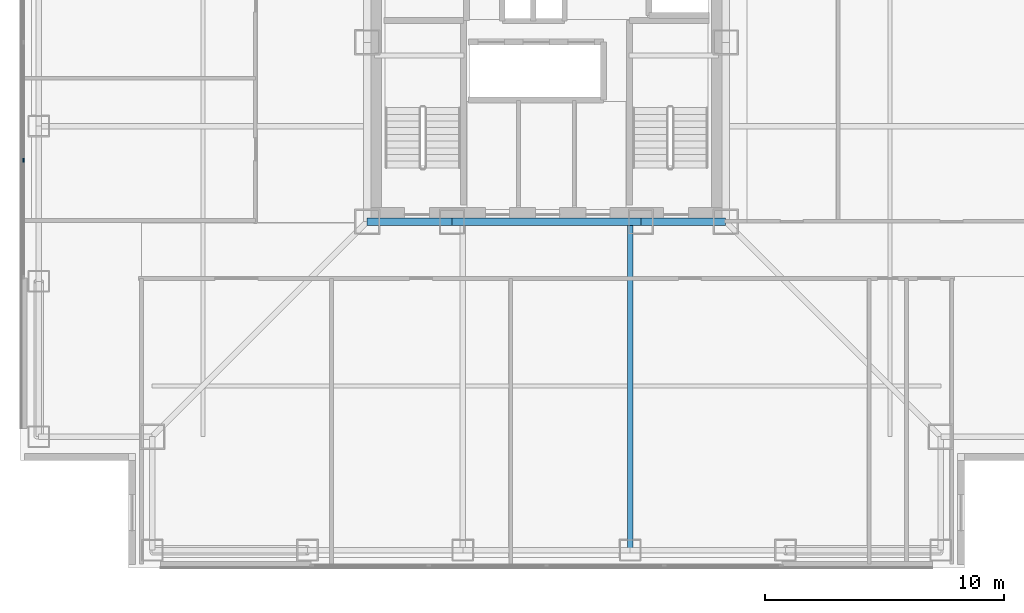
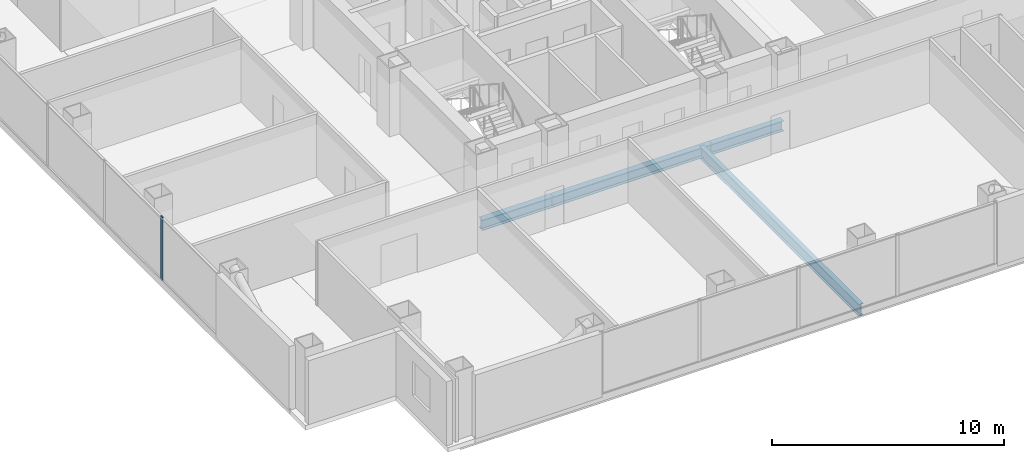
# One storey, part 4 of 16: 4 beams, 1 member, 1 element without a shape of its own.
"""IFC4 building model written with IfcOpenShell, lengths in metres."""

import ifcopenshell
import ifcopenshell.guid

model = None  # the IFC model being written
_history = None  # IfcOwnerHistory: only IFC2X3 demands one
_inside = {}  # id of a spatial element -> (the spatial element, [elements in it])
_under = {}  # id of a project, library or spatial element -> (it, [spatial elements below it])
_declared = {}  # id of a project -> (the project, [libraries it declares])
_typed = {}  # id of a type object -> (the type object, [elements of that type])
_made_of = {}  # id of a material, layer set ... -> (it, [elements and type objects made of it])


def new_model(schema):
    """Start an empty IFC model of exactly this schema.

    Asked for "IFC4X3", IfcOpenShell would pick the latest addendum, in which some entities
    have other attributes; the version numbers below select the first issue.
    IFC2X3 requires an IfcOwnerHistory on every rooted entity: one is made here for all.
    """
    global model, _history
    if schema == "IFC4X3":
        model = ifcopenshell.file(schema_version=(4, 3, 0, 0))
    else:
        model = ifcopenshell.file(schema=schema)
    _inside.clear()
    _under.clear()
    _declared.clear()
    _typed.clear()
    _made_of.clear()
    _history = None
    if model.schema == "IFC2X3":
        org = make("IfcOrganization", Name="unknown")
        user = make(
            "IfcPersonAndOrganization",
            ThePerson=make("IfcPerson", FamilyName="unknown"),
            TheOrganization=org,
        )
        app = make(
            "IfcApplication",
            ApplicationDeveloper=org,
            Version="unknown",
            ApplicationFullName="unknown",
            ApplicationIdentifier="unknown",
        )
        _history = make(
            "IfcOwnerHistory",
            OwningUser=user,
            OwningApplication=app,
            ChangeAction="ADDED",
            CreationDate=0,
        )
    return model


def make(cls, **values):
    """One entity of the class cls with the attributes given. An attribute that is None is left unset."""
    return model.create_entity(
        cls, **{name: value for name, value in values.items() if value is not None}
    )


def rooted(cls, **values):
    """An entity with a GlobalId (a new one), such as an element, a storey or a relation."""
    return make(cls, GlobalId=ifcopenshell.guid.new(), OwnerHistory=_history, **values)


def si_unit(unit_type, name, prefix=None):
    """IfcSIUnit, for example si_unit("LENGTHUNIT", "METRE", prefix="MILLI")."""
    return make("IfcSIUnit", UnitType=unit_type, Prefix=prefix, Name=name)


def assignment(units):
    """IfcUnitAssignment: the units of a project."""
    return None if units is None else make("IfcUnitAssignment", Units=units)


def point(xyz):
    """IfcCartesianPoint."""
    return None if xyz is None else make("IfcCartesianPoint", Coordinates=xyz)


def direction(xyz):
    """IfcDirection."""
    return None if xyz is None else make("IfcDirection", DirectionRatios=xyz)


def frame(location, z_axis=None, x_axis=None):
    """IfcAxis2Placement3D, a coordinate frame: its origin and axes. An axis left out is left unset."""
    return make(
        "IfcAxis2Placement3D",
        Location=point(location),
        Axis=direction(z_axis),
        RefDirection=direction(x_axis),
    )


def frame_2d(location, x_axis=None):
    """IfcAxis2Placement2D, a coordinate frame in the plane: its origin and x axis."""
    return make(
        "IfcAxis2Placement2D", Location=point(location), RefDirection=direction(x_axis)
    )


def origin():
    """The frame at (0, 0, 0) with its axes left unset."""
    return frame((0.0, 0.0, 0.0))


def origin_2d():
    """The frame at (0, 0) in the plane with its x axis left unset."""
    return frame_2d((0.0, 0.0))


def place(relative_to, where):
    """IfcLocalPlacement: puts the frame where relative to a parent placement (None: the world)."""
    return make(
        "IfcLocalPlacement", PlacementRelTo=relative_to, RelativePlacement=where
    )


def context(
    kind, dimensions, precision=None, world=None, true_north=None, identifier=None
):
    """IfcGeometricRepresentationContext, for example the 3D "Model" context."""
    return make(
        "IfcGeometricRepresentationContext",
        ContextIdentifier=identifier,
        ContextType=kind,
        CoordinateSpaceDimension=dimensions,
        Precision=precision,
        WorldCoordinateSystem=world,
        TrueNorth=true_north,
    )


def subcontext(parent, identifier, kind, view, scale=None):
    """IfcGeometricRepresentationSubContext, for example "Body" below "Model"."""
    return make(
        "IfcGeometricRepresentationSubContext",
        ContextIdentifier=identifier,
        ContextType=kind,
        ParentContext=parent,
        TargetScale=scale,
        TargetView=view,
    )


def project(units=None, contexts=None):
    """IfcProject with its units and contexts."""
    return rooted(
        "IfcProject",
        Name="project",
        RepresentationContexts=contexts,
        UnitsInContext=assignment(units),
    )


def spatial(cls, under=None, at=None, **own):
    """A site, building, storey or space (cls), placed at a placement, below another one or the project."""
    s = rooted(cls, ObjectPlacement=at, **own)
    if under is not None:
        _under.setdefault(under.id(), (under, []))[1].append(s)
    return s


def profile(cls, at=None, kind="AREA", **sizes):
    """A parametric profile (cls). Its sizes go by their IFC names, for example OverallWidth=200.0."""
    return make(cls, ProfileType=kind, Position=at, **sizes)


def rectangle(**sizes):
    """IfcRectangleProfileDef."""
    return profile("IfcRectangleProfileDef", **sizes)


def i_section(**sizes):
    """IfcIShapeProfileDef."""
    return profile("IfcIShapeProfileDef", **sizes)


def extrude(swept, where, along, depth):
    """IfcExtrudedAreaSolid: the profile swept, set in the frame where, extruded along a direction by depth."""
    return make(
        "IfcExtrudedAreaSolid",
        SweptArea=swept,
        Position=where,
        ExtrudedDirection=direction(along),
        Depth=depth,
    )


def shape(context_of_items, identifier, shape_type, items):
    """IfcShapeRepresentation: the items that make up one representation, for example the "Body"."""
    return make(
        "IfcShapeRepresentation",
        ContextOfItems=context_of_items,
        RepresentationIdentifier=identifier,
        RepresentationType=shape_type,
        Items=items,
    )


def material(Name=None, Category=None):
    """IfcMaterial."""
    return make("IfcMaterial", Name=Name, Category=Category)


def layer(
    of_material, thickness, ventilated=None, Name=None, Category=None, Priority=None
):
    """IfcMaterialLayer: one layer of a wall or slab, of a material (None: an air gap)."""
    return make(
        "IfcMaterialLayer",
        Material=of_material,
        LayerThickness=thickness,
        IsVentilated=ventilated,
        Name=Name,
        Category=Category,
        Priority=Priority,
    )


def layer_set(layers, Name=None):
    """IfcMaterialLayerSet."""
    return make("IfcMaterialLayerSet", MaterialLayers=layers, LayerSetName=Name)


def material_profile(
    of_material, cross_section, Name=None, Category=None, Priority=None
):
    """IfcMaterialProfile: a cross section and its material."""
    return make(
        "IfcMaterialProfile",
        Name=Name,
        Material=of_material,
        Profile=cross_section,
        Priority=Priority,
        Category=Category,
    )


def profile_set(profiles, Name=None, composite=None):
    """IfcMaterialProfileSet."""
    return make(
        "IfcMaterialProfileSet",
        Name=Name,
        MaterialProfiles=profiles,
        CompositeProfile=composite,
    )


def made_of(thing, what):
    """Note that an element or type object is made of a material, layer set ...; save() writes the relation."""
    if what is not None:
        _made_of.setdefault(what.id(), (what, []))[1].append(thing)
    return thing


def type_object(cls, material=None, **own):
    """A type object (cls), such as IfcWallType, which elements share."""
    return made_of(rooted(cls, **own), material)


def element(
    cls,
    number,
    at=None,
    inside=None,
    cuts=None,
    type_object=None,
    material=None,
    context=None,
    identifier="Body",
    shape_type=None,
    held_by="IfcProductDefinitionShape",
    body=None,
    shapes=None,
    **own,
):
    """One element of the class cls, such as IfcWall. Its Tag is "e" and its number.

    at: its placement. inside: the storey or other place that contains it. cuts: it is an
    opening in that element (IfcRelVoidsElement). A single representation is given by context,
    identifier, shape_type and body (its items); several are given by shapes. held_by: the class
    of the entity that holds the representations. save() writes the other relations.
    """
    e = rooted(cls, Tag="e%d" % number, ObjectPlacement=at, **own)
    if body is not None:
        shapes = [shape(context, identifier, shape_type, body)]
    if shapes is not None:
        e.Representation = make(held_by, Representations=shapes)
    if inside is not None:
        _inside.setdefault(inside.id(), (inside, []))[1].append(e)
    if cuts is not None:
        rooted(
            "IfcRelVoidsElement", RelatingBuildingElement=cuts, RelatedOpeningElement=e
        )
    if type_object is not None:
        _typed.setdefault(type_object.id(), (type_object, []))[1].append(e)
    return made_of(e, material)


def aggregate(whole, parts):
    """IfcRelAggregates: a whole, such as a stair, and the parts it consists of."""
    return rooted("IfcRelAggregates", RelatingObject=whole, RelatedObjects=parts)


def save(model, path):
    """Write the relations noted so far, then the file.

    IfcRelAggregates (storeys below a building ...), IfcRelContainedInSpatialStructure (elements
    in a storey), IfcRelDefinesByType, IfcRelAssociatesMaterial and IfcRelDeclares: one each for
    every whole, place, type object, material and project.
    """
    for whole, parts in _under.values():
        aggregate(whole, parts)
    for where, things in _inside.values():
        rooted(
            "IfcRelContainedInSpatialStructure",
            RelatedElements=things,
            RelatingStructure=where,
        )
    for kind, things in _typed.values():
        rooted("IfcRelDefinesByType", RelatedObjects=things, RelatingType=kind)
    for what, things in _made_of.values():
        rooted("IfcRelAssociatesMaterial", RelatedObjects=things, RelatingMaterial=what)
    for by, libraries in _declared.values():
        rooted("IfcRelDeclares", RelatingContext=by, RelatedDefinitions=libraries)
    model.write(path)


model = new_model("IFC4")

# Units and contexts
model_context = context("Model", 3, precision=1e-05, world=origin(), true_north=direction((0.0, 1.0)))
body_context = subcontext(model_context, "Body", "Model", "MODEL_VIEW")
ifc_project = project(units=[si_unit("LENGTHUNIT", "METRE"), si_unit("AREAUNIT", "SQUARE_METRE"), si_unit("VOLUMEUNIT", "CUBIC_METRE"), si_unit("PLANEANGLEUNIT", "RADIAN"), si_unit("MASSUNIT", "GRAM", prefix="KILO")], contexts=[model_context])

# Site, building, storey
site_placement = place(None, origin())
site = spatial("IfcSite", under=ifc_project, at=site_placement, CompositionType="ELEMENT")
building_placement = place(site_placement, origin())
building = spatial("IfcBuilding", under=site, at=building_placement, Name="Trevonay Congress Spire", CompositionType="ELEMENT")
storey_placement = place(building_placement, frame((0.0, 0.0, 101.199951171875)))
storey = spatial("IfcBuildingStorey", under=building, at=storey_placement, Name="L25", CompositionType="ELEMENT", Elevation=101.199951171875)

# Beams
ifc_material_1 = material(Name="Steel ASTM A572 Grade 50", Category="steel")
ifc_material_profile_1 = material_profile(ifc_material_1, i_section(OverallWidth=0.31201171875, OverallDepth=0.54296875, WebThickness=0.0126953125, FlangeThickness=0.020263671875, FilletRadius=0.014892578125, at=origin_2d()), Name="W530x150")
ifc_profile_set_1 = profile_set([ifc_material_profile_1], Name="Steel ASTM A572 Grade 50")
beam_type_1 = type_object("IfcBeamType", Name="BM-GIRD-W530X150", PredefinedType="BEAM", material=ifc_profile_set_1)
beam_1_placement = place(storey_placement, frame((-7.5, -7.5, -0.511474609375), z_axis=(1.0, 0.0, 0.0), x_axis=(0.0, 1.0, 0.0)))
element("IfcBeam", 1, at=beam_1_placement, inside=storey, type_object=beam_type_1, Name="L25 structural beam BM-L25-CR-S1", PredefinedType="BEAM", context=body_context, shape_type="SweptSolid", body=[
    extrude(i_section(OverallWidth=0.31201171875, OverallDepth=0.54296875, WebThickness=0.0126953125, FlangeThickness=0.020263671875, FilletRadius=0.014892578125, at=origin_2d()), origin(), (0.0, 0.0, 1.0), 3.550048828125),
])
beam_2_placement = place(storey_placement, frame((-3.949951171875, -7.5, -0.511474609375), z_axis=(1.0, 0.0, 0.0), x_axis=(0.0, 1.0, 0.0)))
element("IfcBeam", 2, at=beam_2_placement, inside=storey, type_object=beam_type_1, Name="L25 structural beam BM-L25-CR-S2", PredefinedType="BEAM", context=body_context, shape_type="SweptSolid", body=[
    extrude(i_section(OverallWidth=0.31201171875, OverallDepth=0.54296875, WebThickness=0.0126953125, FlangeThickness=0.020263671875, FilletRadius=0.014892578125, at=origin_2d()), origin(), (0.0, 0.0, 1.0), 7.89990234375),
])
beam_3_placement = place(storey_placement, frame((3.949951171875, -7.5, -0.511474609375), z_axis=(1.0, 0.0, 0.0), x_axis=(0.0, 1.0, 0.0)))
element("IfcBeam", 3, at=beam_3_placement, inside=storey, type_object=beam_type_1, Name="L25 structural beam BM-L25-CR-S3", PredefinedType="BEAM", context=body_context, shape_type="SweptSolid", body=[
    extrude(i_section(OverallWidth=0.31201171875, OverallDepth=0.54296875, WebThickness=0.0126953125, FlangeThickness=0.020263671875, FilletRadius=0.014892578125, at=origin_2d()), origin(), (0.0, 0.0, 1.0), 3.550048828125),
])
ifc_material_profile_2 = material_profile(ifc_material_1, i_section(OverallWidth=0.22998046875, OverallDepth=0.616943359375, WebThickness=0.01318359375, FlangeThickness=0.022216796875, FilletRadius=0.01611328125, at=origin_2d()), Name="W610x140")
ifc_profile_set_2 = profile_set([ifc_material_profile_2], Name="Steel ASTM A572 Grade 50")
beam_type_2 = type_object("IfcBeamType", Name="BM-GIRD-W610X140", PredefinedType="BEAM", material=ifc_profile_set_2)
beam_4_placement = place(storey_placement, frame((3.5, -7.5, -0.54833984375), z_axis=(0.0, -1.0, 0.0), x_axis=(1.0, 0.0, 0.0)))
element("IfcBeam", 4, at=beam_4_placement, inside=storey, type_object=beam_type_2, Name="L25 structural beam BM-L25-GS-P", PredefinedType="BEAM", context=body_context, shape_type="SweptSolid", body=[
    extrude(i_section(OverallWidth=0.22998046875, OverallDepth=0.616943359375, WebThickness=0.01318359375, FlangeThickness=0.022216796875, FilletRadius=0.01611328125, at=origin_2d()), origin(), (0.0, 0.0, 1.0), 13.75),
])

# Curtain wall, member
ifc_material_2 = material(Name="Pale Anodised Aluminium EN AW-6063-T6", Category="aluminium")
ifc_layer = layer(ifc_material_2, 0.175048828125, Name="Pale Anodised Aluminium EN AW-6063-T6")
ifc_layer_set = layer_set([ifc_layer], Name="Pale Anodised Aluminium EN AW-6063-T6")
curtain_wall_type = type_object("IfcCurtainWallType", Name="CW-SYS03-CONGRESS-PALE-METAL", PredefinedType="NOTDEFINED", material=ifc_layer_set)
curtain_wall_placement = place(storey_placement, origin())
curtain_wall = element("IfcCurtainWall", 5, at=curtain_wall_placement, inside=storey, type_object=curtain_wall_type, Name="L25 W unitised curtain wall", PredefinedType="NOTDEFINED")
ifc_material_profile_3 = material_profile(ifc_material_2, rectangle(XDim=0.06005859375, YDim=0.159912109375, at=origin_2d()), Name="CW-MULLION-160-ALUMINIUM")
ifc_profile_set_3 = profile_set([ifc_material_profile_3], Name="Pale Anodised Aluminium EN AW-6063-T6")
member_type = type_object("IfcMemberType", Name="CW-MULLION-160-ALUMINIUM", PredefinedType="MULLION", material=ifc_profile_set_3)
member_placement = place(storey_placement, frame((-21.8798828125, -4.925048828125, 0.0), z_axis=(0.0, 0.0, 1.0), x_axis=(-1.0, 0.0, 0.0)))
member = element("IfcMember", 6, at=member_placement, type_object=member_type, Name="CW03 mullion 2", PredefinedType="MULLION", context=body_context, shape_type="SweptSolid", body=[
    extrude(rectangle(XDim=0.06005859375, YDim=0.159912109375, at=origin_2d()), origin(), (0.0, 0.0, 1.0), 3.360107421875),
])
aggregate(curtain_wall, [member])

save(model, "model.ifc")
